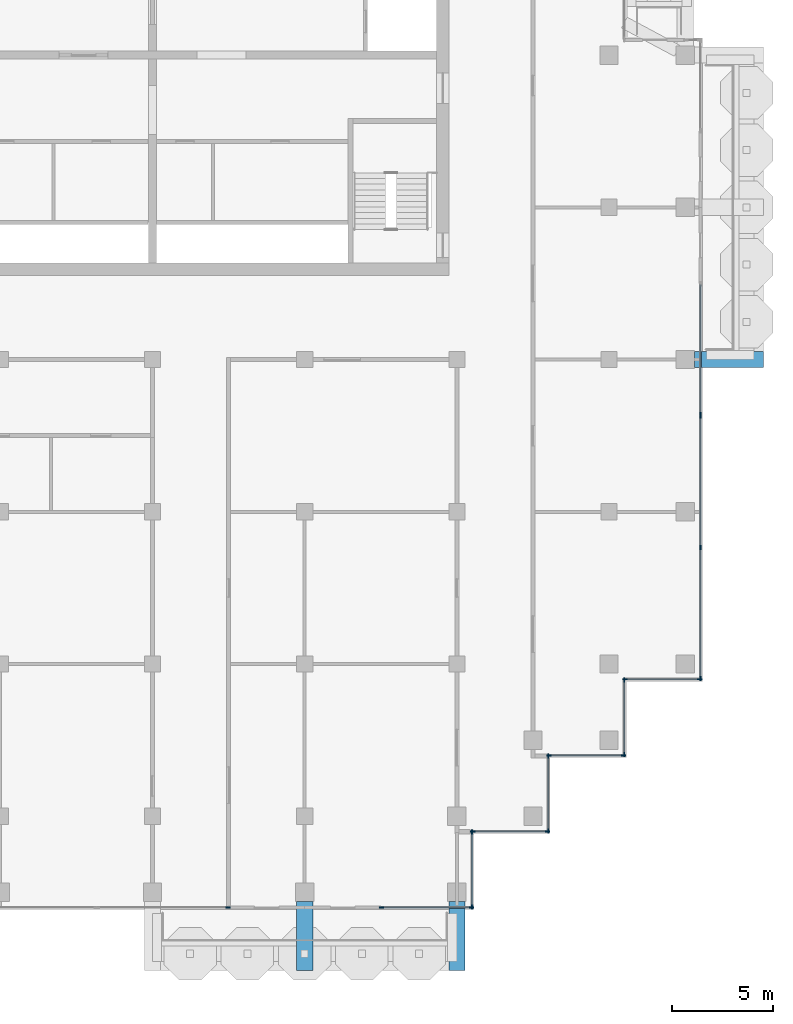
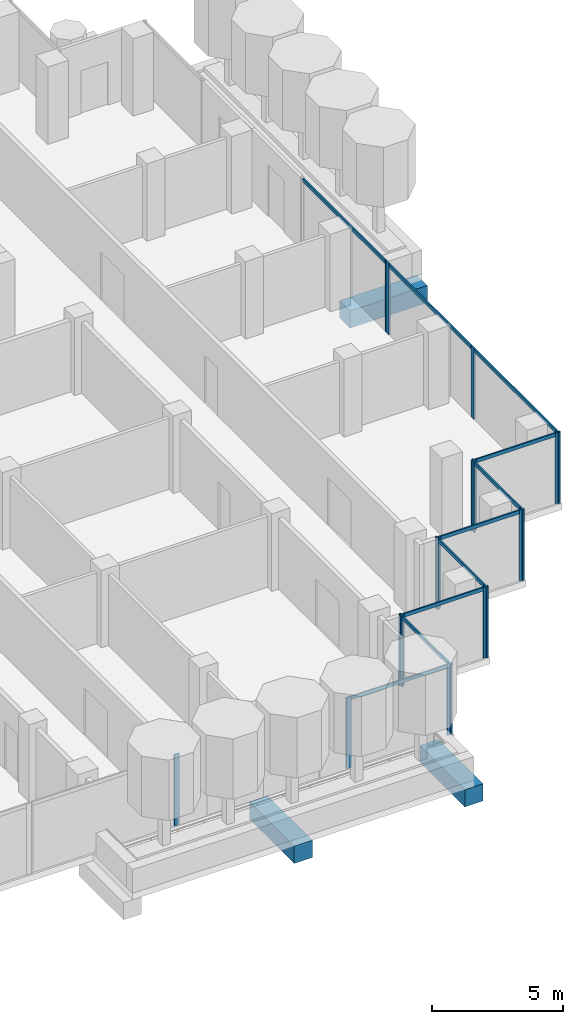
# One storey, part 4 of 18: 29 members, 3 beams, 10 elements without a shape of their own.
"""IFC4 building model written with IfcOpenShell, lengths in metres."""

from ifc_helpers import new_model, si_unit, direction, frame, origin, origin_2d, place, context, subcontext, project, spatial, rectangle, extrude, material, material_profile, profile_set, type_object, element, aggregate, save


model = new_model("IFC4")

# Units and contexts
model_context = context("Model", 3, precision=1e-05, world=origin(), true_north=direction((0.0, 1.0)))
body_context = subcontext(model_context, "Body", "Model", "MODEL_VIEW")
ifc_project = project(units=[si_unit("LENGTHUNIT", "METRE"), si_unit("AREAUNIT", "SQUARE_METRE"), si_unit("VOLUMEUNIT", "CUBIC_METRE"), si_unit("PLANEANGLEUNIT", "RADIAN"), si_unit("MASSUNIT", "GRAM", prefix="KILO")], contexts=[model_context])

# Site, building, storey
site_placement = place(None, origin())
site = spatial("IfcSite", under=ifc_project, at=site_placement, CompositionType="ELEMENT")
building_placement = place(site_placement, origin())
building = spatial("IfcBuilding", under=site, at=building_placement, Name="Pilkhan Gate Tower", CompositionType="ELEMENT")
storey_placement = place(building_placement, frame((0.0, 0.0, 231.89990234375)))
storey = spatial("IfcBuildingStorey", under=building, at=storey_placement, Name="L60", CompositionType="ELEMENT", Elevation=231.89990234375)

# Beams
ifc_material_1 = material(Name="Concrete C50/60", Category="concrete")
ifc_material_profile_1 = material_profile(ifc_material_1, rectangle(XDim=0.800048828125, YDim=0.800048828125, at=origin_2d()), Name="RC 800x800")
ifc_profile_set_1 = profile_set([ifc_material_profile_1], Name="Concrete C50/60")
beam_type = type_object("IfcBeamType", Name="Cantilever beam CB2 RC 800x800 C50/60", PredefinedType="BEAM", material=ifc_profile_set_1)
for number, where, z_axis, x_axis, name in (
    (1, (82.5, 40.800048828125, -0.699951171875), (0.0, -1.0, 0.0), (1.0, 0.0, 0.0), "Balcony beam S.2 L60"),
    (2, (90.0, 40.800048828125, -0.699951171875), (0.0, -1.0, 0.0), (1.0, 0.0, 0.0), "Balcony beam S.3 L60"),
    (3, (101.699951171875, 67.5, -0.699951171875), (1.0, 0.0, 0.0), (0.0, 1.0, 0.0), "Balcony beam E.1 L60"),
):
    element("IfcBeam", number, at=place(storey_placement, frame(where, z_axis=z_axis, x_axis=x_axis)), inside=storey, type_object=beam_type, Name=name, PredefinedType="BEAM", context=body_context, shape_type="SweptSolid", body=[
        extrude(rectangle(XDim=0.800048828125, YDim=0.800048828125, at=origin_2d()), origin(), (0.0, 0.0, 1.0), 3.400146484375),
    ])

# Curtain wall, members
ifc_material_2 = material(Name="Pale anodised aluminium, clear low-iron double glazing", Category="aluminium")
curtain_wall_type = type_object("IfcCurtainWallType", Name="Office unitised curtain wall CW-O2", PredefinedType="USERDEFINED", material=ifc_material_2)
curtain_wall_1_placement = place(storey_placement, origin())
curtain_wall_1 = element("IfcCurtainWall", 4, at=curtain_wall_1_placement, inside=storey, type_object=curtain_wall_type, Name="Office unitised curtain wall CW-O2 L60 E", ObjectType="UNITISED CURTAIN WALL", PredefinedType="USERDEFINED")
ifc_material_3 = material(Name="Pale anodised aluminium", Category="aluminium")
ifc_material_profile_2 = material_profile(ifc_material_3, rectangle(XDim=0.06494140625, YDim=0.22509765625, at=origin_2d()), Name="Mullion 225x65")
ifc_profile_set_2 = profile_set([ifc_material_profile_2], Name="Pale anodised aluminium")
member_type_1 = type_object("IfcMemberType", Name="Mullion CW-O2 225x65", PredefinedType="MULLION", material=ifc_profile_set_2)
member_1_placement = place(storey_placement, frame((102.0, 51.782470703125, 0.0), z_axis=(0.0, 0.0, 1.0), x_axis=(-1.0, 0.0, 0.0)))
member_1 = element("IfcMember", 5, at=member_1_placement, type_object=member_type_1, Name="CW-O2 mullion 1", PredefinedType="MULLION", context=body_context, shape_type="SweptSolid", body=[
    extrude(rectangle(XDim=0.06494140625, YDim=0.22509765625, at=origin_2d()), origin(), (0.0, 0.0, 1.0), 3.300048828125),
])
member_2_placement = place(storey_placement, frame((102.0, 58.25, 0.0), z_axis=(0.0, 0.0, 1.0), x_axis=(-1.0, 0.0, 0.0)))
member_2 = element("IfcMember", 6, at=member_2_placement, type_object=member_type_1, Name="CW-O2 mullion 2", PredefinedType="MULLION", context=body_context, shape_type="SweptSolid", body=[
    extrude(rectangle(XDim=0.06494140625, YDim=0.22509765625, at=origin_2d()), origin(), (0.0, 0.0, 1.0), 3.300048828125),
])
member_3_placement = place(storey_placement, frame((102.0, 64.717529296875, 0.0), z_axis=(0.0, 0.0, 1.0), x_axis=(-1.0, 0.0, 0.0)))
member_3 = element("IfcMember", 7, at=member_3_placement, type_object=member_type_1, Name="CW-O2 mullion 3", PredefinedType="MULLION", context=body_context, shape_type="SweptSolid", body=[
    extrude(rectangle(XDim=0.06494140625, YDim=0.22509765625, at=origin_2d()), origin(), (0.0, 0.0, 1.0), 3.300048828125),
])

# Curtain wall, member
curtain_wall_2_placement = place(storey_placement, origin())
curtain_wall_2 = element("IfcCurtainWall", 8, at=curtain_wall_2_placement, inside=storey, type_object=curtain_wall_type, Name="Office unitised curtain wall CW-O2 L60 E", ObjectType="UNITISED CURTAIN WALL", PredefinedType="USERDEFINED")
member_4_placement = place(storey_placement, frame((102.0, 64.782470703125, 0.0), z_axis=(0.0, 0.0, 1.0), x_axis=(-1.0, 0.0, 0.0)))
member_4 = element("IfcMember", 9, at=member_4_placement, type_object=member_type_1, Name="CW-O2 mullion 1", PredefinedType="MULLION", context=body_context, shape_type="SweptSolid", body=[
    extrude(rectangle(XDim=0.06494140625, YDim=0.22509765625, at=origin_2d()), origin(), (0.0, 0.0, 1.0), 3.300048828125),
])

curtain_wall_3_placement = place(storey_placement, origin())
curtain_wall_3 = element("IfcCurtainWall", 10, at=curtain_wall_3_placement, inside=storey, type_object=curtain_wall_type, Name="Office unitised curtain wall CW-O2 L60 S", ObjectType="UNITISED CURTAIN WALL", PredefinedType="USERDEFINED")
member_5_placement = place(storey_placement, frame((78.717529296875, 40.5, 0.0), z_axis=(0.0, 0.0, 1.0), x_axis=(0.0, 1.0, 0.0)))
member_5 = element("IfcMember", 11, at=member_5_placement, type_object=member_type_1, Name="CW-O2 mullion 2", PredefinedType="MULLION", context=body_context, shape_type="SweptSolid", body=[
    extrude(rectangle(XDim=0.06494140625, YDim=0.22509765625, at=origin_2d()), origin(), (0.0, 0.0, 1.0), 3.300048828125),
])
aggregate(curtain_wall_3, [member_5])

# Curtain wall, members
curtain_wall_4_placement = place(storey_placement, origin())
curtain_wall_4 = element("IfcCurtainWall", 12, at=curtain_wall_4_placement, inside=storey, type_object=curtain_wall_type, Name="Office unitised curtain wall CW-O2 L60 S", ObjectType="UNITISED CURTAIN WALL", PredefinedType="USERDEFINED")
member_6_placement = place(storey_placement, frame((86.282470703125, 40.5, 0.0), z_axis=(0.0, 0.0, 1.0), x_axis=(0.0, 1.0, 0.0)))
member_6 = element("IfcMember", 13, at=member_6_placement, type_object=member_type_1, Name="CW-O2 mullion 1", PredefinedType="MULLION", context=body_context, shape_type="SweptSolid", body=[
    extrude(rectangle(XDim=0.06494140625, YDim=0.22509765625, at=origin_2d()), origin(), (0.0, 0.0, 1.0), 3.300048828125),
])
member_7_placement = place(storey_placement, frame((90.717529296875, 40.5, 0.0), z_axis=(0.0, 0.0, 1.0), x_axis=(0.0, 1.0, 0.0)))
member_7 = element("IfcMember", 14, at=member_7_placement, type_object=member_type_1, Name="CW-O2 mullion 2", PredefinedType="MULLION", context=body_context, shape_type="SweptSolid", body=[
    extrude(rectangle(XDim=0.06494140625, YDim=0.22509765625, at=origin_2d()), origin(), (0.0, 0.0, 1.0), 3.300048828125),
])

curtain_wall_5_placement = place(storey_placement, origin())
curtain_wall_5 = element("IfcCurtainWall", 15, at=curtain_wall_5_placement, inside=storey, type_object=curtain_wall_type, Name="Office unitised curtain wall CW-O2 L60 E", ObjectType="UNITISED CURTAIN WALL", PredefinedType="USERDEFINED")
member_8_placement = place(storey_placement, frame((90.75, 40.532470703125, 0.0), z_axis=(0.0, 0.0, 1.0), x_axis=(-1.0, 0.0, 0.0)))
member_8 = element("IfcMember", 16, at=member_8_placement, type_object=member_type_1, Name="CW-O2 mullion 1", PredefinedType="MULLION", context=body_context, shape_type="SweptSolid", body=[
    extrude(rectangle(XDim=0.06494140625, YDim=0.22509765625, at=origin_2d()), origin(), (0.0, 0.0, 1.0), 3.300048828125),
])
member_9_placement = place(storey_placement, frame((90.75, 44.217529296875, 0.0), z_axis=(0.0, 0.0, 1.0), x_axis=(-1.0, 0.0, 0.0)))
member_9 = element("IfcMember", 17, at=member_9_placement, type_object=member_type_1, Name="CW-O2 mullion 2", PredefinedType="MULLION", context=body_context, shape_type="SweptSolid", body=[
    extrude(rectangle(XDim=0.06494140625, YDim=0.22509765625, at=origin_2d()), origin(), (0.0, 0.0, 1.0), 3.300048828125),
])

curtain_wall_6_placement = place(storey_placement, origin())
curtain_wall_6 = element("IfcCurtainWall", 18, at=curtain_wall_6_placement, inside=storey, type_object=curtain_wall_type, Name="Office unitised curtain wall CW-O2 L60 S", ObjectType="UNITISED CURTAIN WALL", PredefinedType="USERDEFINED")
member_10_placement = place(storey_placement, frame((90.782470703125, 44.25, 0.0), z_axis=(0.0, 0.0, 1.0), x_axis=(0.0, 1.0, 0.0)))
member_10 = element("IfcMember", 19, at=member_10_placement, type_object=member_type_1, Name="CW-O2 mullion 1", PredefinedType="MULLION", context=body_context, shape_type="SweptSolid", body=[
    extrude(rectangle(XDim=0.06494140625, YDim=0.22509765625, at=origin_2d()), origin(), (0.0, 0.0, 1.0), 3.300048828125),
])
member_11_placement = place(storey_placement, frame((94.467529296875, 44.25, 0.0), z_axis=(0.0, 0.0, 1.0), x_axis=(0.0, 1.0, 0.0)))
member_11 = element("IfcMember", 20, at=member_11_placement, type_object=member_type_1, Name="CW-O2 mullion 2", PredefinedType="MULLION", context=body_context, shape_type="SweptSolid", body=[
    extrude(rectangle(XDim=0.06494140625, YDim=0.22509765625, at=origin_2d()), origin(), (0.0, 0.0, 1.0), 3.300048828125),
])

curtain_wall_7_placement = place(storey_placement, origin())
curtain_wall_7 = element("IfcCurtainWall", 21, at=curtain_wall_7_placement, inside=storey, type_object=curtain_wall_type, Name="Office unitised curtain wall CW-O2 L60 E", ObjectType="UNITISED CURTAIN WALL", PredefinedType="USERDEFINED")
member_12_placement = place(storey_placement, frame((94.5, 44.282470703125, 0.0), z_axis=(0.0, 0.0, 1.0), x_axis=(-1.0, 0.0, 0.0)))
member_12 = element("IfcMember", 22, at=member_12_placement, type_object=member_type_1, Name="CW-O2 mullion 1", PredefinedType="MULLION", context=body_context, shape_type="SweptSolid", body=[
    extrude(rectangle(XDim=0.06494140625, YDim=0.22509765625, at=origin_2d()), origin(), (0.0, 0.0, 1.0), 3.300048828125),
])
member_13_placement = place(storey_placement, frame((94.5, 47.967529296875, 0.0), z_axis=(0.0, 0.0, 1.0), x_axis=(-1.0, 0.0, 0.0)))
member_13 = element("IfcMember", 23, at=member_13_placement, type_object=member_type_1, Name="CW-O2 mullion 2", PredefinedType="MULLION", context=body_context, shape_type="SweptSolid", body=[
    extrude(rectangle(XDim=0.06494140625, YDim=0.22509765625, at=origin_2d()), origin(), (0.0, 0.0, 1.0), 3.300048828125),
])

curtain_wall_8_placement = place(storey_placement, origin())
curtain_wall_8 = element("IfcCurtainWall", 24, at=curtain_wall_8_placement, inside=storey, type_object=curtain_wall_type, Name="Office unitised curtain wall CW-O2 L60 S", ObjectType="UNITISED CURTAIN WALL", PredefinedType="USERDEFINED")
member_14_placement = place(storey_placement, frame((94.532470703125, 48.0, 0.0), z_axis=(0.0, 0.0, 1.0), x_axis=(0.0, 1.0, 0.0)))
member_14 = element("IfcMember", 25, at=member_14_placement, type_object=member_type_1, Name="CW-O2 mullion 1", PredefinedType="MULLION", context=body_context, shape_type="SweptSolid", body=[
    extrude(rectangle(XDim=0.06494140625, YDim=0.22509765625, at=origin_2d()), origin(), (0.0, 0.0, 1.0), 3.300048828125),
])
member_15_placement = place(storey_placement, frame((98.217529296875, 48.0, 0.0), z_axis=(0.0, 0.0, 1.0), x_axis=(0.0, 1.0, 0.0)))
member_15 = element("IfcMember", 26, at=member_15_placement, type_object=member_type_1, Name="CW-O2 mullion 2", PredefinedType="MULLION", context=body_context, shape_type="SweptSolid", body=[
    extrude(rectangle(XDim=0.06494140625, YDim=0.22509765625, at=origin_2d()), origin(), (0.0, 0.0, 1.0), 3.300048828125),
])

curtain_wall_9_placement = place(storey_placement, origin())
curtain_wall_9 = element("IfcCurtainWall", 27, at=curtain_wall_9_placement, inside=storey, type_object=curtain_wall_type, Name="Office unitised curtain wall CW-O2 L60 E", ObjectType="UNITISED CURTAIN WALL", PredefinedType="USERDEFINED")
member_16_placement = place(storey_placement, frame((98.25, 48.032470703125, 0.0), z_axis=(0.0, 0.0, 1.0), x_axis=(-1.0, 0.0, 0.0)))
member_16 = element("IfcMember", 28, at=member_16_placement, type_object=member_type_1, Name="CW-O2 mullion 1", PredefinedType="MULLION", context=body_context, shape_type="SweptSolid", body=[
    extrude(rectangle(XDim=0.06494140625, YDim=0.22509765625, at=origin_2d()), origin(), (0.0, 0.0, 1.0), 3.300048828125),
])
member_17_placement = place(storey_placement, frame((98.25, 51.717529296875, 0.0), z_axis=(0.0, 0.0, 1.0), x_axis=(-1.0, 0.0, 0.0)))
member_17 = element("IfcMember", 29, at=member_17_placement, type_object=member_type_1, Name="CW-O2 mullion 2", PredefinedType="MULLION", context=body_context, shape_type="SweptSolid", body=[
    extrude(rectangle(XDim=0.06494140625, YDim=0.22509765625, at=origin_2d()), origin(), (0.0, 0.0, 1.0), 3.300048828125),
])

curtain_wall_10_placement = place(storey_placement, origin())
curtain_wall_10 = element("IfcCurtainWall", 30, at=curtain_wall_10_placement, inside=storey, type_object=curtain_wall_type, Name="Office unitised curtain wall CW-O2 L60 S", ObjectType="UNITISED CURTAIN WALL", PredefinedType="USERDEFINED")
member_18_placement = place(storey_placement, frame((98.282470703125, 51.75, 0.0), z_axis=(0.0, 0.0, 1.0), x_axis=(0.0, 1.0, 0.0)))
member_18 = element("IfcMember", 31, at=member_18_placement, type_object=member_type_1, Name="CW-O2 mullion 1", PredefinedType="MULLION", context=body_context, shape_type="SweptSolid", body=[
    extrude(rectangle(XDim=0.06494140625, YDim=0.22509765625, at=origin_2d()), origin(), (0.0, 0.0, 1.0), 3.300048828125),
])
member_19_placement = place(storey_placement, frame((101.967529296875, 51.75, 0.0), z_axis=(0.0, 0.0, 1.0), x_axis=(0.0, 1.0, 0.0)))
member_19 = element("IfcMember", 32, at=member_19_placement, type_object=member_type_1, Name="CW-O2 mullion 2", PredefinedType="MULLION", context=body_context, shape_type="SweptSolid", body=[
    extrude(rectangle(XDim=0.06494140625, YDim=0.22509765625, at=origin_2d()), origin(), (0.0, 0.0, 1.0), 3.300048828125),
])

# Member
ifc_material_profile_3 = material_profile(ifc_material_3, rectangle(XDim=0.06494140625, YDim=0.1650390625, at=origin_2d()), Name="Transom 165x65")
ifc_profile_set_3 = profile_set([ifc_material_profile_3], Name="Pale anodised aluminium")
member_type_2 = type_object("IfcMemberType", Name="Transom CW-O2 165x65", PredefinedType="USERDEFINED", material=ifc_profile_set_3)
member_20_placement = place(storey_placement, frame((102.0, 51.81494140625, 3.217529296875), z_axis=(0.0, 1.0, 0.0), x_axis=(-1.0, 0.0, 0.0)))
member_20 = element("IfcMember", 33, at=member_20_placement, type_object=member_type_2, Name="CW-O2 transom 1", ObjectType="TRANSOM", PredefinedType="USERDEFINED", context=body_context, shape_type="SweptSolid", body=[
    extrude(rectangle(XDim=0.06494140625, YDim=0.1650390625, at=origin_2d()), origin(), (0.0, 0.0, 1.0), 6.402587890625),
])

member_21_placement = place(storey_placement, frame((102.0, 58.282470703125, 3.217529296875), z_axis=(0.0, 1.0, 0.0), x_axis=(-1.0, 0.0, 0.0)))
member_21 = element("IfcMember", 34, at=member_21_placement, type_object=member_type_2, Name="CW-O2 transom 2", ObjectType="TRANSOM", PredefinedType="USERDEFINED", context=body_context, shape_type="SweptSolid", body=[
    extrude(rectangle(XDim=0.06494140625, YDim=0.1650390625, at=origin_2d()), origin(), (0.0, 0.0, 1.0), 6.402587890625),
])

aggregate(curtain_wall_1, [member_1, member_2, member_3, member_20, member_21])

member_22_placement = place(storey_placement, frame((102.0, 64.81494140625, 3.217529296875), z_axis=(0.0, 1.0, 0.0), x_axis=(-1.0, 0.0, 0.0)))
member_22 = element("IfcMember", 35, at=member_22_placement, type_object=member_type_2, Name="CW-O2 transom 1", ObjectType="TRANSOM", PredefinedType="USERDEFINED", context=body_context, shape_type="SweptSolid", body=[
    extrude(rectangle(XDim=0.06494140625, YDim=0.1650390625, at=origin_2d()), origin(), (0.0, 0.0, 1.0), 6.3701171875),
])

aggregate(curtain_wall_2, [member_4, member_22])

member_23_placement = place(storey_placement, frame((86.31494140625, 40.5, 3.217529296875), z_axis=(1.0, 0.0, 0.0), x_axis=(0.0, 1.0, 0.0)))
member_23 = element("IfcMember", 36, at=member_23_placement, type_object=member_type_2, Name="CW-O2 transom 1", ObjectType="TRANSOM", PredefinedType="USERDEFINED", context=body_context, shape_type="SweptSolid", body=[
    extrude(rectangle(XDim=0.06494140625, YDim=0.1650390625, at=origin_2d()), origin(), (0.0, 0.0, 1.0), 4.3701171875),
])

aggregate(curtain_wall_4, [member_6, member_7, member_23])

member_24_placement = place(storey_placement, frame((90.75, 40.56494140625, 3.217529296875), z_axis=(0.0, 1.0, 0.0), x_axis=(-1.0, 0.0, 0.0)))
member_24 = element("IfcMember", 37, at=member_24_placement, type_object=member_type_2, Name="CW-O2 transom 1", ObjectType="TRANSOM", PredefinedType="USERDEFINED", context=body_context, shape_type="SweptSolid", body=[
    extrude(rectangle(XDim=0.06494140625, YDim=0.1650390625, at=origin_2d()), origin(), (0.0, 0.0, 1.0), 3.6201171875),
])

aggregate(curtain_wall_5, [member_8, member_9, member_24])

member_25_placement = place(storey_placement, frame((90.81494140625, 44.25, 3.217529296875), z_axis=(1.0, 0.0, 0.0), x_axis=(0.0, 1.0, 0.0)))
member_25 = element("IfcMember", 38, at=member_25_placement, type_object=member_type_2, Name="CW-O2 transom 1", ObjectType="TRANSOM", PredefinedType="USERDEFINED", context=body_context, shape_type="SweptSolid", body=[
    extrude(rectangle(XDim=0.06494140625, YDim=0.1650390625, at=origin_2d()), origin(), (0.0, 0.0, 1.0), 3.6201171875),
])

aggregate(curtain_wall_6, [member_10, member_11, member_25])

member_26_placement = place(storey_placement, frame((94.5, 44.31494140625, 3.217529296875), z_axis=(0.0, 1.0, 0.0), x_axis=(-1.0, 0.0, 0.0)))
member_26 = element("IfcMember", 39, at=member_26_placement, type_object=member_type_2, Name="CW-O2 transom 1", ObjectType="TRANSOM", PredefinedType="USERDEFINED", context=body_context, shape_type="SweptSolid", body=[
    extrude(rectangle(XDim=0.06494140625, YDim=0.1650390625, at=origin_2d()), origin(), (0.0, 0.0, 1.0), 3.6201171875),
])

aggregate(curtain_wall_7, [member_12, member_13, member_26])

member_27_placement = place(storey_placement, frame((94.56494140625, 48.0, 3.217529296875), z_axis=(1.0, 0.0, 0.0), x_axis=(0.0, 1.0, 0.0)))
member_27 = element("IfcMember", 40, at=member_27_placement, type_object=member_type_2, Name="CW-O2 transom 1", ObjectType="TRANSOM", PredefinedType="USERDEFINED", context=body_context, shape_type="SweptSolid", body=[
    extrude(rectangle(XDim=0.06494140625, YDim=0.1650390625, at=origin_2d()), origin(), (0.0, 0.0, 1.0), 3.6201171875),
])

aggregate(curtain_wall_8, [member_14, member_15, member_27])

member_28_placement = place(storey_placement, frame((98.25, 48.06494140625, 3.217529296875), z_axis=(0.0, 1.0, 0.0), x_axis=(-1.0, 0.0, 0.0)))
member_28 = element("IfcMember", 41, at=member_28_placement, type_object=member_type_2, Name="CW-O2 transom 1", ObjectType="TRANSOM", PredefinedType="USERDEFINED", context=body_context, shape_type="SweptSolid", body=[
    extrude(rectangle(XDim=0.06494140625, YDim=0.1650390625, at=origin_2d()), origin(), (0.0, 0.0, 1.0), 3.6201171875),
])

aggregate(curtain_wall_9, [member_16, member_17, member_28])

member_29_placement = place(storey_placement, frame((98.31494140625, 51.75, 3.217529296875), z_axis=(1.0, 0.0, 0.0), x_axis=(0.0, 1.0, 0.0)))
member_29 = element("IfcMember", 42, at=member_29_placement, type_object=member_type_2, Name="CW-O2 transom 1", ObjectType="TRANSOM", PredefinedType="USERDEFINED", context=body_context, shape_type="SweptSolid", body=[
    extrude(rectangle(XDim=0.06494140625, YDim=0.1650390625, at=origin_2d()), origin(), (0.0, 0.0, 1.0), 3.6201171875),
])

aggregate(curtain_wall_10, [member_18, member_19, member_29])

save(model, "model.ifc")
